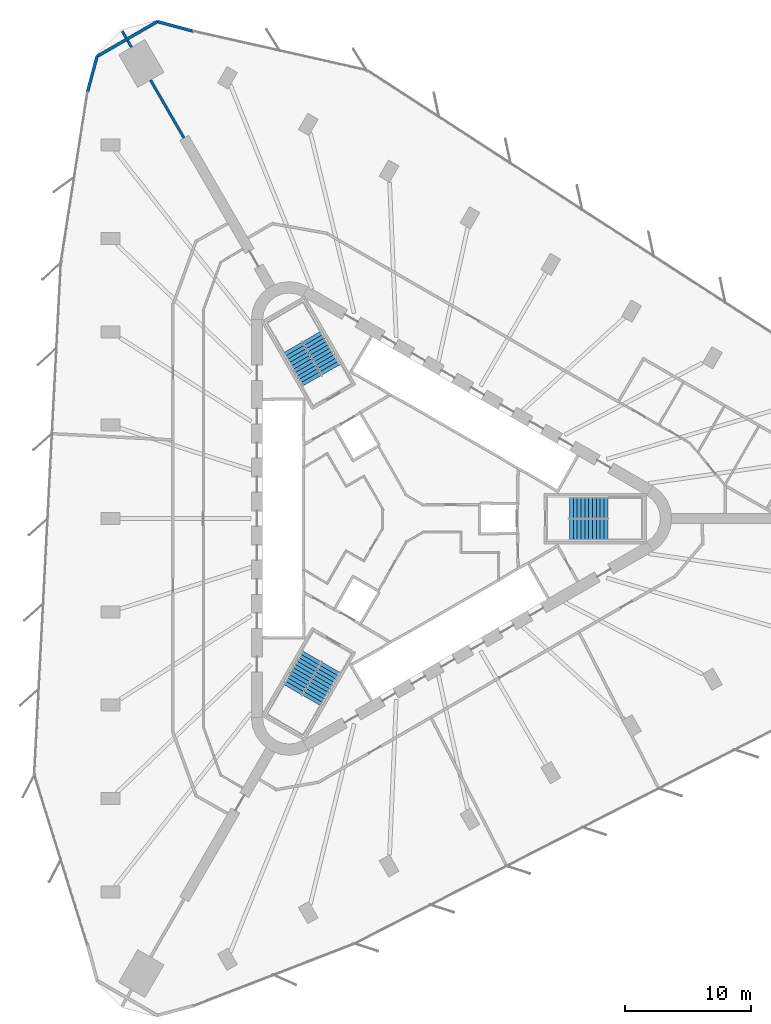
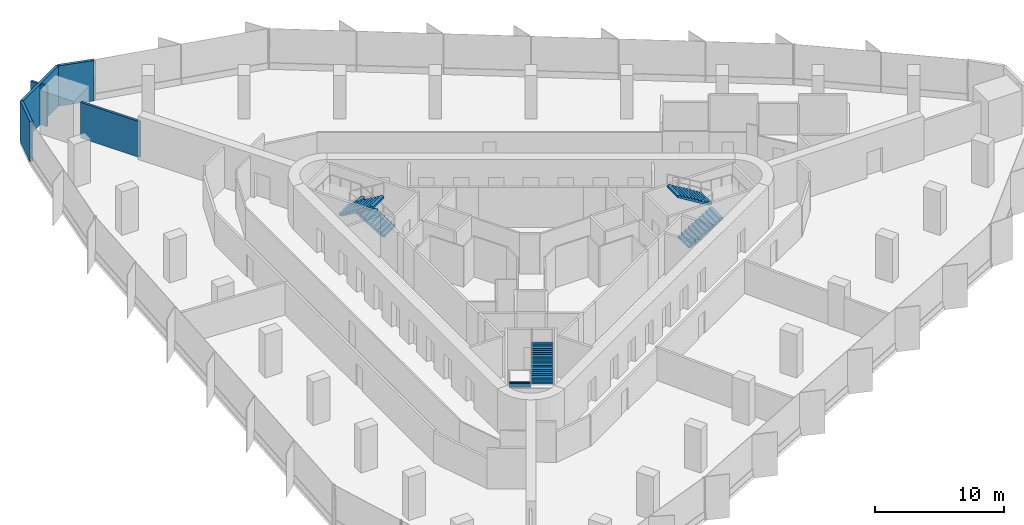
# One storey, part 13 of 14: 6 stair flights, 6 walls, 3 elements without a shape of their own.
"""IFC4 building model written with IfcOpenShell, lengths in metres."""

from ifc_helpers import new_model, si_unit, direction, frame, frame_2d, origin, place, context, subcontext, project, spatial, polyline, rectangle, outline, extrude, material, layer, layer_set, type_object, element, aggregate, save


model = new_model("IFC4")

# Units and contexts
model_context = context("Model", 3, precision=1e-05, world=origin(), true_north=direction((0.0, 1.0)))
body_context = subcontext(model_context, "Body", "Model", "MODEL_VIEW")
ifc_project = project(units=[si_unit("LENGTHUNIT", "METRE"), si_unit("AREAUNIT", "SQUARE_METRE"), si_unit("VOLUMEUNIT", "CUBIC_METRE"), si_unit("PLANEANGLEUNIT", "RADIAN"), si_unit("MASSUNIT", "GRAM", prefix="KILO")], contexts=[model_context])

# Site, building, storey
site_placement = place(None, origin())
site = spatial("IfcSite", under=ifc_project, at=site_placement, CompositionType="ELEMENT")
building_placement = place(site_placement, origin())
building = spatial("IfcBuilding", under=site, at=building_placement, Name="Tanit Gate Tower", CompositionType="ELEMENT")
storey_placement = place(building_placement, frame((0.0, 0.0, 74.199951171875)))
storey = spatial("IfcBuildingStorey", under=building, at=storey_placement, Name="L14", CompositionType="ELEMENT", Elevation=74.199951171875)

# Walls
ifc_material_1 = material(Name="Concrete C30/37 with bronze anodised aluminium cladding", Category="concrete")
ifc_layer_1 = layer(ifc_material_1, 0.239990234375)
ifc_layer_set_1 = layer_set([ifc_layer_1], Name="Facade wall bronze clad 240")
wall_type_1 = type_object("IfcWallType", Name="Facade wall bronze clad 240", PredefinedType="SOLIDWALL", material=ifc_layer_set_1)
wall_1_placement = place(storey_placement, frame((-16.7314453125, 38.608642578125, 0.0), z_axis=(0.0, 0.0, 1.0), x_axis=(-0.965920971701, 0.258837161991, 0.0)))
element("IfcWall", 1, at=wall_1_placement, inside=storey, type_object=wall_type_1, Name="Bronze-clad facade wall L14 NW.arc1", PredefinedType="SOLIDWALL", context=body_context, shape_type="SweptSolid", body=[
    extrude(rectangle(XDim=2.8974609375, YDim=0.239990234375, at=frame_2d((1.44873046875, 0.0))), origin(), (0.0, 0.0, 1.0), 3.800048828125),
])
wall_2_placement = place(storey_placement, frame((-19.5302734375, 39.358642578125, 0.0), z_axis=(0.0, 0.0, 1.0), x_axis=(-0.866017993231, -0.500012835235, 0.0)))
element("IfcWall", 2, at=wall_2_placement, inside=storey, type_object=wall_type_1, Name="Bronze-clad facade wall L14 NW.arc2", PredefinedType="SOLIDWALL", context=body_context, shape_type="SweptSolid", body=[
    extrude(rectangle(XDim=5.531005859375, YDim=0.239990234375, at=frame_2d((2.765625, 0.0))), origin(), (0.0, 0.0, 1.0), 3.800048828125),
])
wall_3_placement = place(storey_placement, frame((-24.3203125, 36.593017578125, 0.0), z_axis=(0.0, 0.0, 1.0), x_axis=(-0.258867040904, -0.965912964575, 0.0)))
element("IfcWall", 3, at=wall_3_placement, inside=storey, type_object=wall_type_1, Name="Bronze-clad facade wall L14 NW.arc3", PredefinedType="SOLIDWALL", context=body_context, shape_type="SweptSolid", body=[
    extrude(rectangle(XDim=2.888671875, YDim=0.239990234375, at=frame_2d((1.4443359375, 0.0))), origin(), (0.0, 0.0, 1.0), 3.800048828125),
])
ifc_material_2 = material(Name="Fire-rated gypsum board partition")
ifc_layer_2 = layer(ifc_material_2, 0.199951171875)
ifc_layer_set_2 = layer_set([ifc_layer_2], Name="INT-WALL-COMPARTMENT")
wall_type_2 = type_object("IfcWallType", Name="INT-WALL-COMPARTMENT", PredefinedType="PARTITIONING", material=ifc_layer_set_2)
wall_4_placement = place(storey_placement, frame((-22.31787109375, 38.595703125, 0.0), z_axis=(0.0, 0.0, 1.0), x_axis=(0.500078582497, -0.865980029404, 0.0)))
element("IfcWall", 4, at=wall_4_placement, inside=storey, type_object=wall_type_2, Name="Wall Compartment W112", PredefinedType="PARTITIONING", context=body_context, shape_type="SweptSolid", body=[
    extrude(rectangle(XDim=0.61328125, YDim=0.199951171875, at=frame_2d((0.306640625, 0.0))), origin(), (0.0, 0.0, 1.0), 3.800048828125),
])
wall_5_placement = place(storey_placement, frame((-21.891357421875, 37.85693359375, 0.0), z_axis=(0.0, 0.0, 1.0), x_axis=(0.49994015576, -0.866059952115, 0.0)))
element("IfcWall", 5, at=wall_5_placement, inside=storey, type_object=wall_type_2, Name="Wall Compartment W112x1", PredefinedType="PARTITIONING", context=body_context, shape_type="SweptSolid", body=[
    extrude(rectangle(XDim=0.61474609375, YDim=0.199951171875, at=frame_2d((0.307373046875, 0.0))), origin(), (0.0, 0.0, 1.0), 3.800048828125),
])
wall_6_placement = place(storey_placement, frame((-20.083984375, 34.7265625, 0.0), z_axis=(0.0, 0.0, 1.0), x_axis=(0.499991120112, -0.86603053053, 0.0)))
element("IfcWall", 6, at=wall_6_placement, inside=storey, type_object=wall_type_2, Name="Wall Compartment W113", PredefinedType="PARTITIONING", context=body_context, shape_type="SweptSolid", body=[
    extrude(rectangle(XDim=5.29638671875, YDim=0.199951171875, at=frame_2d((2.648193359375, 0.0))), origin(), (0.0, 0.0, 1.0), 3.3701171875),
])

# Stair, stair flights
ifc_material_3 = material(Name="Concrete C40/50", Category="concrete")
stair_type = type_object("IfcStairType", Name="INT-STAIR-EXIT", PredefinedType="HALF_TURN_STAIR", material=ifc_material_3)
stair_1_placement = place(storey_placement, origin())
stair_1 = element("IfcStair", 7, at=stair_1_placement, inside=storey, type_object=stair_type, Name="L14 STAIR S1", PredefinedType="HALF_TURN_STAIR")
ifc_material_4 = material(Name="Concrete C40/50", Category="concrete")
stair_flight_type = type_object("IfcStairFlightType", Name="INT-STAIR-FLIGHT", PredefinedType="STRAIGHT", material=ifc_material_4)
stair_flight_1_placement = place(storey_placement, frame((13.094970703125, -0.8525390625, 0.0), z_axis=(0.0, 0.0, 1.0), x_axis=(1.0, 0.0, 0.0)))
stair_flight_1 = element("IfcStairFlight", 8, at=stair_flight_1_placement, type_object=stair_flight_type, Name="S1 flight 1", NumberOfRisers=11, NumberOfTreads=10, PredefinedType="STRAIGHT", RiserHeight=0.186363636, TreadLength=0.3051, context=body_context, shape_type="SweptSolid", body=[
    extrude(outline(polyline([(0.0, 0.0), (0.0, 0.186279296875), (0.30517578125, 0.186279296875), (0.30517578125, 0.372802734375), (0.610107421875, 0.372802734375), (0.610107421875, 0.55908203125), (0.915283203125, 0.55908203125), (0.915283203125, 0.745361328125), (1.220458984375, 0.745361328125), (1.220458984375, 0.931884765625), (1.525390625, 0.931884765625), (1.525390625, 1.1181640625), (1.83056640625, 1.1181640625), (1.83056640625, 1.304443359375), (2.1357421875, 1.304443359375), (2.1357421875, 1.490966796875), (2.44091796875, 1.490966796875), (2.44091796875, 1.67724609375), (2.745849609375, 1.67724609375), (2.745849609375, 1.863525390625), (3.051025390625, 1.863525390625), (3.051025390625, 2.050048828125), (3.051025390625, 1.68798828125), (0.28759765625, 0.0), (0.0, 0.0)])), frame((0.0, 0.84765625, 0.0), z_axis=(0.0, -1.0, 0.0), x_axis=(1.0, 0.0, 0.0)), (0.0, 0.0, 1.0), 1.695068359375),
])
stair_flight_2_placement = place(storey_placement, frame((16.14599609375, 0.8525390625, 2.050048828125), z_axis=(0.0, 0.0, 1.0), x_axis=(-1.0, 0.0, 0.0)))
stair_flight_2 = element("IfcStairFlight", 9, at=stair_flight_2_placement, type_object=stair_flight_type, Name="S1 flight 2", NumberOfRisers=11, NumberOfTreads=10, PredefinedType="STRAIGHT", RiserHeight=0.186363636, TreadLength=0.3051, context=body_context, shape_type="SweptSolid", body=[
    extrude(outline(polyline([(0.0, 0.0), (0.0, 0.186279296875), (0.30517578125, 0.186279296875), (0.30517578125, 0.372802734375), (0.610107421875, 0.372802734375), (0.610107421875, 0.55908203125), (0.915283203125, 0.55908203125), (0.915283203125, 0.745361328125), (1.220458984375, 0.745361328125), (1.220458984375, 0.931884765625), (1.525390625, 0.931884765625), (1.525390625, 1.1181640625), (1.83056640625, 1.1181640625), (1.83056640625, 1.304443359375), (2.1357421875, 1.304443359375), (2.1357421875, 1.490966796875), (2.44091796875, 1.490966796875), (2.44091796875, 1.67724609375), (2.745849609375, 1.67724609375), (2.745849609375, 1.863525390625), (3.051025390625, 1.863525390625), (3.051025390625, 2.050048828125), (3.051025390625, 1.68798828125), (0.28759765625, 0.0), (0.0, 0.0)])), frame((0.0, 0.84765625, 0.0), z_axis=(0.0, -1.0, 0.0), x_axis=(1.0, 0.0, 0.0)), (0.0, 0.0, 1.0), 1.695068359375),
])
aggregate(stair_1, [stair_flight_1, stair_flight_2])

stair_2_placement = place(storey_placement, origin())
stair_2 = element("IfcStair", 10, at=stair_2_placement, inside=storey, type_object=stair_type, Name="L14 STAIR S2", PredefinedType="HALF_TURN_STAIR")
stair_flight_3_placement = place(storey_placement, frame((-5.808349609375, 11.766357421875, 0.0), z_axis=(0.0, 0.0, 1.0), x_axis=(-0.5, 0.866025403784, 0.0)))
stair_flight_3 = element("IfcStairFlight", 11, at=stair_flight_3_placement, type_object=stair_flight_type, Name="S2 flight 1", NumberOfRisers=11, NumberOfTreads=10, PredefinedType="STRAIGHT", RiserHeight=0.186363636, TreadLength=0.30492, context=body_context, shape_type="SweptSolid", body=[
    extrude(outline(polyline([(0.0, 0.0), (0.0, 0.186279296875), (0.304931640625, 0.186279296875), (0.304931640625, 0.372802734375), (0.60986328125, 0.372802734375), (0.60986328125, 0.55908203125), (0.914794921875, 0.55908203125), (0.914794921875, 0.745361328125), (1.2197265625, 0.745361328125), (1.2197265625, 0.931884765625), (1.524658203125, 0.931884765625), (1.524658203125, 1.1181640625), (1.82958984375, 1.1181640625), (1.82958984375, 1.304443359375), (2.134521484375, 1.304443359375), (2.134521484375, 1.490966796875), (2.439453125, 1.490966796875), (2.439453125, 1.67724609375), (2.744384765625, 1.67724609375), (2.744384765625, 1.863525390625), (3.04931640625, 1.863525390625), (3.04931640625, 2.050048828125), (3.04931640625, 1.68798828125), (0.287353515625, 0.0), (0.0, 0.0)])), frame((0.0, 0.84716796875, 0.0), z_axis=(0.0, -1.0, 0.0), x_axis=(1.0, 0.0, 0.0)), (0.0, 0.0, 1.0), 1.694091796875),
])
stair_flight_4_placement = place(storey_placement, frame((-8.810302734375, 13.553955078125, 2.050048828125), z_axis=(0.0, 0.0, 1.0), x_axis=(0.5, -0.866025403784, 0.0)))
stair_flight_4 = element("IfcStairFlight", 12, at=stair_flight_4_placement, type_object=stair_flight_type, Name="S2 flight 2", NumberOfRisers=11, NumberOfTreads=10, PredefinedType="STRAIGHT", RiserHeight=0.186363636, TreadLength=0.30492, context=body_context, shape_type="SweptSolid", body=[
    extrude(outline(polyline([(0.0, 0.0), (0.0, 0.186279296875), (0.304931640625, 0.186279296875), (0.304931640625, 0.372802734375), (0.60986328125, 0.372802734375), (0.60986328125, 0.55908203125), (0.914794921875, 0.55908203125), (0.914794921875, 0.745361328125), (1.2197265625, 0.745361328125), (1.2197265625, 0.931884765625), (1.524658203125, 0.931884765625), (1.524658203125, 1.1181640625), (1.82958984375, 1.1181640625), (1.82958984375, 1.304443359375), (2.134521484375, 1.304443359375), (2.134521484375, 1.490966796875), (2.439453125, 1.490966796875), (2.439453125, 1.67724609375), (2.744384765625, 1.67724609375), (2.744384765625, 1.863525390625), (3.04931640625, 1.863525390625), (3.04931640625, 2.050048828125), (3.04931640625, 1.68798828125), (0.287353515625, 0.0), (0.0, 0.0)])), frame((0.0, 0.84716796875, 0.0), z_axis=(0.0, -1.0, 0.0), x_axis=(1.0, 0.0, 0.0)), (0.0, 0.0, 1.0), 1.694091796875),
])
aggregate(stair_2, [stair_flight_3, stair_flight_4])

stair_3_placement = place(storey_placement, origin())
stair_3 = element("IfcStair", 13, at=stair_3_placement, inside=storey, type_object=stair_type, Name="L14 STAIR S3", PredefinedType="HALF_TURN_STAIR")
stair_flight_5_placement = place(storey_placement, frame((-7.285888671875, -10.914306640625, 0.0), z_axis=(0.0, 0.0, 1.0), x_axis=(-0.5, -0.866025403784, 0.0)))
stair_flight_5 = element("IfcStairFlight", 14, at=stair_flight_5_placement, type_object=stair_flight_type, Name="S3 flight 1", NumberOfRisers=11, NumberOfTreads=10, PredefinedType="STRAIGHT", RiserHeight=0.186363636, TreadLength=0.3051, context=body_context, shape_type="SweptSolid", body=[
    extrude(outline(polyline([(0.0, 0.0), (0.0, 0.186279296875), (0.30517578125, 0.186279296875), (0.30517578125, 0.372802734375), (0.610107421875, 0.372802734375), (0.610107421875, 0.55908203125), (0.915283203125, 0.55908203125), (0.915283203125, 0.745361328125), (1.220458984375, 0.745361328125), (1.220458984375, 0.931884765625), (1.525390625, 0.931884765625), (1.525390625, 1.1181640625), (1.83056640625, 1.1181640625), (1.83056640625, 1.304443359375), (2.1357421875, 1.304443359375), (2.1357421875, 1.490966796875), (2.44091796875, 1.490966796875), (2.44091796875, 1.67724609375), (2.745849609375, 1.67724609375), (2.745849609375, 1.863525390625), (3.051025390625, 1.863525390625), (3.051025390625, 2.050048828125), (3.051025390625, 1.68798828125), (0.28759765625, 0.0), (0.0, 0.0)])), frame((0.0, 0.84765625, 0.0), z_axis=(0.0, -1.0, 0.0), x_axis=(1.0, 0.0, 0.0)), (0.0, 0.0, 1.0), 1.695068359375),
])
stair_flight_6_placement = place(storey_placement, frame((-7.334716796875, -14.4091796875, 2.050048828125), z_axis=(0.0, 0.0, 1.0), x_axis=(0.5, 0.866025403784, 0.0)))
stair_flight_6 = element("IfcStairFlight", 15, at=stair_flight_6_placement, type_object=stair_flight_type, Name="S3 flight 2", NumberOfRisers=11, NumberOfTreads=10, PredefinedType="STRAIGHT", RiserHeight=0.186363636, TreadLength=0.3051, context=body_context, shape_type="SweptSolid", body=[
    extrude(outline(polyline([(0.0, 0.0), (0.0, 0.186279296875), (0.30517578125, 0.186279296875), (0.30517578125, 0.372802734375), (0.610107421875, 0.372802734375), (0.610107421875, 0.55908203125), (0.915283203125, 0.55908203125), (0.915283203125, 0.745361328125), (1.220458984375, 0.745361328125), (1.220458984375, 0.931884765625), (1.525390625, 0.931884765625), (1.525390625, 1.1181640625), (1.83056640625, 1.1181640625), (1.83056640625, 1.304443359375), (2.1357421875, 1.304443359375), (2.1357421875, 1.490966796875), (2.44091796875, 1.490966796875), (2.44091796875, 1.67724609375), (2.745849609375, 1.67724609375), (2.745849609375, 1.863525390625), (3.051025390625, 1.863525390625), (3.051025390625, 2.050048828125), (3.051025390625, 1.68798828125), (0.28759765625, 0.0), (0.0, 0.0)])), frame((0.0, 0.84765625, 0.0), z_axis=(0.0, -1.0, 0.0), x_axis=(1.0, 0.0, 0.0)), (0.0, 0.0, 1.0), 1.695068359375),
])
aggregate(stair_3, [stair_flight_5, stair_flight_6])

save(model, "model.ifc")
